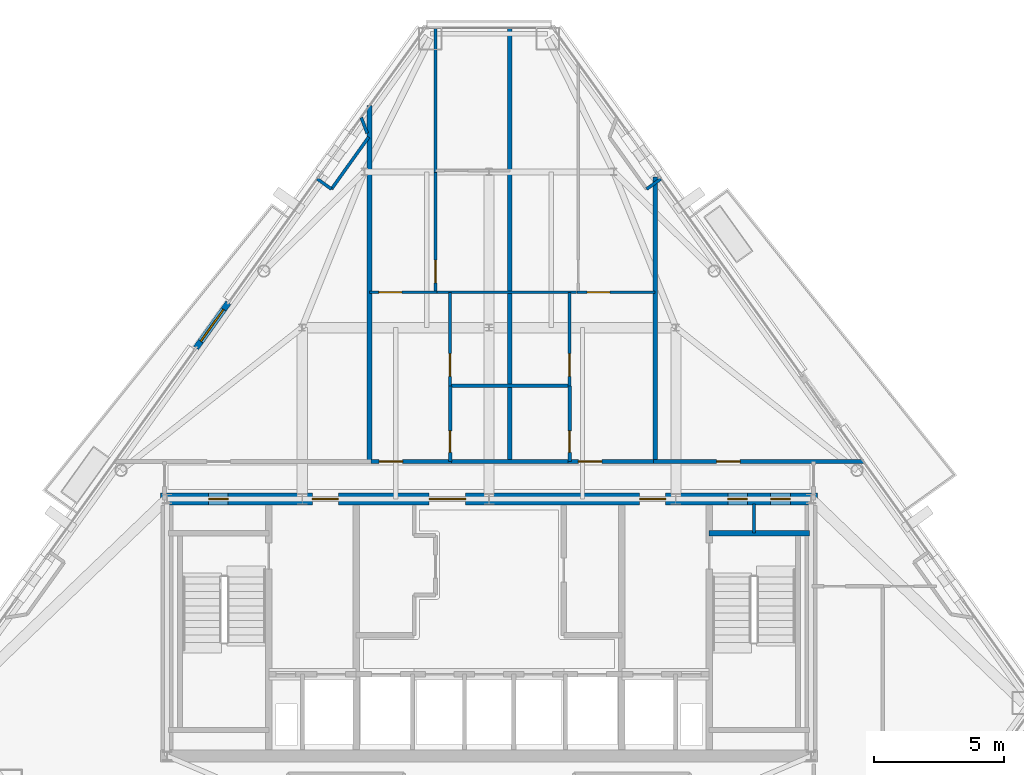
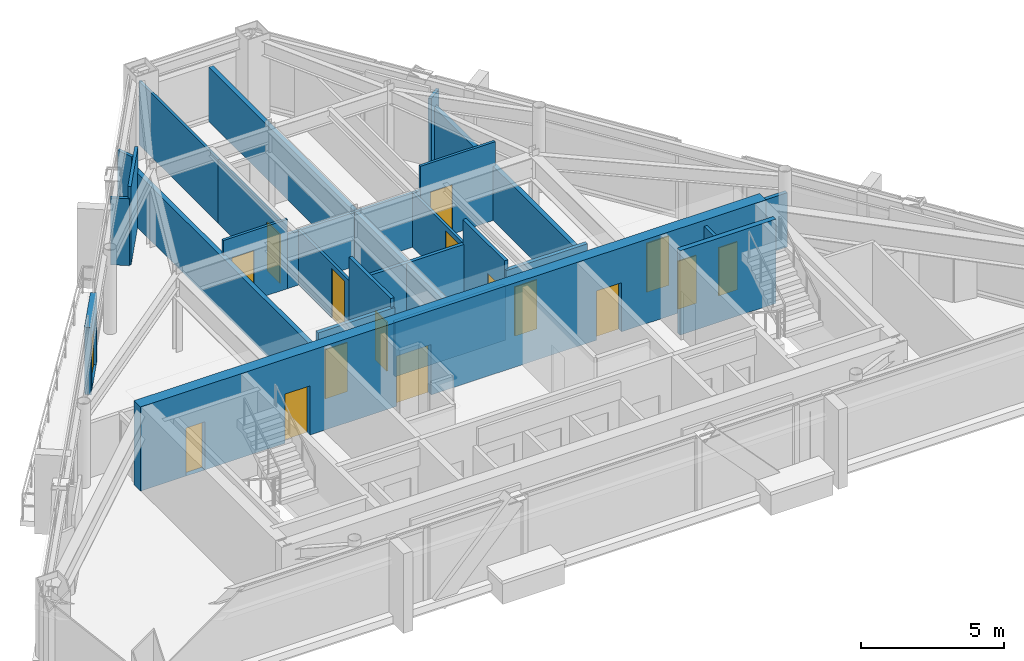
# One storey, part 9 of 12: 25 walls, 17 doors, 17 openings.
"""IFC4 building model written with IfcOpenShell, lengths in metres."""

from ifc_helpers import new_model, si_unit, direction, frame, frame_2d, origin, place, context, subcontext, project, spatial, rectangle, extrude, material, layer, layer_set, type_object, element, fill, save


model = new_model("IFC4")

# Units and contexts
model_context = context("Model", 3, precision=1e-05, world=origin(), true_north=direction((0.0, 1.0)))
body_context = subcontext(model_context, "Body", "Model", "MODEL_VIEW")
ifc_project = project(units=[si_unit("LENGTHUNIT", "METRE"), si_unit("AREAUNIT", "SQUARE_METRE"), si_unit("VOLUMEUNIT", "CUBIC_METRE"), si_unit("PLANEANGLEUNIT", "RADIAN"), si_unit("MASSUNIT", "GRAM", prefix="KILO")], contexts=[model_context])

# Site, building, storey
site_placement = place(None, origin())
site = spatial("IfcSite", under=ifc_project, at=site_placement, CompositionType="ELEMENT")
building_placement = place(site_placement, origin())
building = spatial("IfcBuilding", under=site, at=building_placement, Name="Talgorran Terracotta Tower", CompositionType="ELEMENT")
storey_placement = place(building_placement, frame((0.0, 0.0, 256.199951171875)))
storey = spatial("IfcBuildingStorey", under=building, at=storey_placement, Name="L67", CompositionType="ELEMENT", Elevation=256.199951171875)

# Wall, opening, door
ifc_material_1 = material(Name="Concrete C40/50", Category="concrete")
ifc_layer_1 = layer(ifc_material_1, 0.239990234375, Name="WT_BALCONY_SPAND")
ifc_layer_set_1 = layer_set([ifc_layer_1], Name="Concrete C40/50")
wall_type_1 = type_object("IfcWallType", Name="WT_BALCONY_SPAND", PredefinedType="STANDARD", material=ifc_layer_set_1)
wall_1_placement = place(storey_placement, frame((-10.039306640625, 3.357421875, -0.014892578125), z_axis=(0.0, 0.0, 1.0), x_axis=(-0.58216589686, -0.813070026832, 0.0)))
wall_1 = element("IfcWall", 1, at=wall_1_placement, inside=storey, type_object=wall_type_1, Name="WL-L67-BALP-BAL-NW", PredefinedType="STANDARD", context=body_context, shape_type="SweptSolid", body=[
    extrude(rectangle(XDim=2.14013671875, YDim=0.239990234375, at=frame_2d((1.070068359375, 0.0))), origin(), (0.0, 0.0, 1.0), 2.8779296875),
])
opening_1_placement = place(wall_1_placement, frame((0.320068359375, 0.0, 0.014892578125)))
opening_1 = element("IfcOpeningElement", 2, at=opening_1_placement, cuts=wall_1, Name="Opening D-BAL-L67-2", PredefinedType="OPENING", context=body_context, shape_type="SweptSolid", body=[
    extrude(rectangle(XDim=1.506, YDim=2.203951171875, at=frame_2d((0.75, 1.10205078125))), frame((0.0, 0.1298828125, 0.0), z_axis=(0.0, -1.0, 0.0), x_axis=(1.0, 0.0, 0.0)), (0.0, 0.0, 1.0), 0.260009765625),
])
ifc_material_2 = material(Name="Thermally Broken Aluminium", Category="aluminium")
door_type_1 = type_object("IfcDoorType", Name="DT_BALC_1500", OperationType="SLIDING_TO_RIGHT", PredefinedType="DOOR", material=ifc_material_2)
door_1_placement = place(opening_1_placement, origin())
door_1 = element("IfcDoor", 3, at=door_1_placement, inside=storey, type_object=door_type_1, Name="DR-L67-BAL-BAL-NW", OperationType="SLIDING_TO_RIGHT", OverallHeight=2.199951171875, OverallWidth=1.5, PredefinedType="DOOR", context=body_context, shape_type="SweptSolid", body=[
    extrude(rectangle(XDim=1.5, YDim=2.199951171875, at=frame_2d((0.75, 1.10009765625))), frame((0.0, 0.02490234375, 0.0), z_axis=(0.0, -1.0, 0.0), x_axis=(1.0, 0.0, 0.0)), (0.0, 0.0, 1.0), 0.050048828125),
])
fill(opening_1, door_1)

# Wall
ifc_material_3 = material(Name="Concrete C50/60", Category="concrete")
ifc_layer_2 = layer(ifc_material_3, 0.199951171875, Name="WT_CORE_200")
ifc_layer_set_2 = layer_set([ifc_layer_2], Name="Concrete C50/60")
wall_type_2 = type_object("IfcWallType", Name="WT_CORE_200", PredefinedType="SOLIDWALL", material=ifc_layer_set_2)
wall_2_placement = place(storey_placement, frame((8.47998046875, -5.52001953125, 0.0), z_axis=(0.0, 0.0, 1.0), x_axis=(1.0, 0.0, 0.0)))
element("IfcWall", 4, at=wall_2_placement, inside=storey, type_object=wall_type_2, Name="WL-L67-CW-ST2-N", PredefinedType="SOLIDWALL", context=body_context, shape_type="SweptSolid", body=[
    extrude(rectangle(XDim=3.8701171875, YDim=0.199951171875, at=frame_2d((1.93505859375, 0.0))), origin(), (0.0, 0.0, 1.0), 3.60009765625),
])

# Wall, openings, doors
ifc_material_4 = material(Name="Concrete C65/80", Category="concrete")
ifc_layer_3 = layer(ifc_material_4, 0.449951171875, Name="WT_CORE_EXT")
ifc_layer_set_3 = layer_set([ifc_layer_3], Name="Concrete C65/80")
wall_type_3 = type_object("IfcWallType", Name="WT_CORE_EXT", PredefinedType="SHEAR", material=ifc_layer_set_3)
wall_3_placement = place(storey_placement, frame((-12.64990234375, -4.199951171875, 0.0), z_axis=(0.0, 0.0, 1.0), x_axis=(1.0, 0.0, 0.0)))
wall_3 = element("IfcWall", 5, at=wall_3_placement, inside=storey, type_object=wall_type_3, Name="WL-L67-CW-OUT-N", PredefinedType="SHEAR", context=body_context, shape_type="SweptSolid", body=[
    extrude(rectangle(XDim=25.2998046875, YDim=0.449951171875, at=frame_2d((12.64990234375, 0.0))), origin(), (0.0, 0.0, 1.0), 3.60009765625),
])
opening_2_placement = place(wall_3_placement, frame((1.85009765625, 0.0, 0.0)))
opening_2 = element("IfcOpeningElement", 6, at=opening_2_placement, cuts=wall_3, Name="Opening DR-CSN1", PredefinedType="OPENING", context=body_context, shape_type="SweptSolid", body=[
    extrude(rectangle(XDim=0.756, YDim=2.054048828125, at=frame_2d((0.375, 1.027099609375))), frame((0.0, 0.23486328125, 0.0), z_axis=(0.0, -1.0, 0.0), x_axis=(1.0, 0.0, 0.0)), (0.0, 0.0, 1.0), 0.469970703125),
])
opening_3_placement = place(wall_3_placement, frame((21.85009765625, 0.0, 0.0)))
opening_3 = element("IfcOpeningElement", 7, at=opening_3_placement, cuts=wall_3, Name="Opening DR-CSN2", PredefinedType="OPENING", context=body_context, shape_type="SweptSolid", body=[
    extrude(rectangle(XDim=0.756, YDim=2.054048828125, at=frame_2d((0.375, 1.027099609375))), frame((0.0, 0.23486328125, 0.0), z_axis=(0.0, -1.0, 0.0), x_axis=(1.0, 0.0, 0.0)), (0.0, 0.0, 1.0), 0.469970703125),
])
opening_4_placement = place(wall_3_placement, frame((23.5, 0.0, 0.0)))
opening_4 = element("IfcOpeningElement", 8, at=opening_4_placement, cuts=wall_3, Name="Opening DR-CSN3", PredefinedType="OPENING", context=body_context, shape_type="SweptSolid", body=[
    extrude(rectangle(XDim=0.756, YDim=2.054048828125, at=frame_2d((0.375, 1.027099609375))), frame((0.0, 0.23486328125, 0.0), z_axis=(0.0, -1.0, 0.0), x_axis=(1.0, 0.0, 0.0)), (0.0, 0.0, 1.0), 0.469970703125),
])
opening_5_placement = place(wall_3_placement, frame((5.85009765625, 0.0, 0.0)))
opening_5 = element("IfcOpeningElement", 9, at=opening_5_placement, cuts=wall_3, Name="Opening DR-FFLW-N", PredefinedType="OPENING", context=body_context, shape_type="SweptSolid", body=[
    extrude(rectangle(XDim=1.006, YDim=2.10409765625, at=frame_2d((0.5, 1.052001953125))), frame((0.0, 0.23486328125, 0.0), z_axis=(0.0, -1.0, 0.0), x_axis=(1.0, 0.0, 0.0)), (0.0, 0.0, 1.0), 0.469970703125),
])
opening_6_placement = place(wall_3_placement, frame((10.35009765625, 0.0, 0.0)))
opening_6 = element("IfcOpeningElement", 10, at=opening_6_placement, cuts=wall_3, Name="Opening DR-PLL-N", PredefinedType="OPENING", context=body_context, shape_type="SweptSolid", body=[
    extrude(rectangle(XDim=1.40590234375, YDim=2.15390234375, at=frame_2d((0.699951171875, 1.076904296875))), frame((0.0, 0.23486328125, 0.0), z_axis=(0.0, -1.0, 0.0), x_axis=(1.0, 0.0, 0.0)), (0.0, 0.0, 1.0), 0.469970703125),
])
opening_7_placement = place(wall_3_placement, frame((18.449951171875, 0.0, 0.0)))
opening_7 = element("IfcOpeningElement", 11, at=opening_7_placement, cuts=wall_3, Name="Opening DR-FFLE-N", PredefinedType="OPENING", context=body_context, shape_type="SweptSolid", body=[
    extrude(rectangle(XDim=1.006, YDim=2.10409765625, at=frame_2d((0.5, 1.052001953125))), frame((0.0, 0.23486328125, 0.0), z_axis=(0.0, -1.0, 0.0), x_axis=(1.0, 0.0, 0.0)), (0.0, 0.0, 1.0), 0.469970703125),
])
ifc_material_5 = material(Name="Acoustic Glazed Timber", Category="wood")
door_type_2 = type_object("IfcDoorType", Name="DT_DOUBLE_1400", OperationType="DOUBLE_DOOR_SINGLE_SWING", PredefinedType="DOOR", material=ifc_material_5)
door_2_placement = place(opening_6_placement, origin())
door_2 = element("IfcDoor", 12, at=door_2_placement, inside=storey, type_object=door_type_2, Name="DR-PLL-N", OperationType="DOUBLE_DOOR_SINGLE_SWING", OverallHeight=2.14990234375, OverallWidth=1.39990234375, PredefinedType="DOOR", context=body_context, shape_type="SweptSolid", body=[
    extrude(rectangle(XDim=1.39990234375, YDim=2.14990234375, at=frame_2d((0.699951171875, 1.074951171875))), frame((0.0, 0.02490234375, 0.0), z_axis=(0.0, -1.0, 0.0), x_axis=(1.0, 0.0, 0.0)), (0.0, 0.0, 1.0), 0.050048828125),
])
fill(opening_6, door_2)
ifc_material_6 = material(Name="Fire-Rated Pressed Steel", Category="steel")
door_type_3 = type_object("IfcDoorType", Name="DT_FIRE_1000", OperationType="NOTDEFINED", PredefinedType="DOOR", material=ifc_material_6)
door_3_placement = place(opening_5_placement, origin())
door_3 = element("IfcDoor", 13, at=door_3_placement, inside=storey, type_object=door_type_3, Name="DR-FFLW-N", OperationType="SINGLE_SWING_LEFT", OverallHeight=2.10009765625, OverallWidth=1.0, PredefinedType="DOOR", context=body_context, shape_type="SweptSolid", body=[
    extrude(rectangle(XDim=1.0, YDim=2.10009765625, at=frame_2d((0.5, 1.050048828125))), frame((0.0, 0.02490234375, 0.0), z_axis=(0.0, -1.0, 0.0), x_axis=(1.0, 0.0, 0.0)), (0.0, 0.0, 1.0), 0.050048828125),
])
fill(opening_5, door_3)
door_4_placement = place(opening_7_placement, origin())
door_4 = element("IfcDoor", 14, at=door_4_placement, inside=storey, type_object=door_type_3, Name="DR-FFLE-N", OperationType="SINGLE_SWING_RIGHT", OverallHeight=2.10009765625, OverallWidth=1.0, PredefinedType="DOOR", context=body_context, shape_type="SweptSolid", body=[
    extrude(rectangle(XDim=1.0, YDim=2.10009765625, at=frame_2d((0.5, 1.050048828125))), frame((0.0, 0.02490234375, 0.0), z_axis=(0.0, -1.0, 0.0), x_axis=(1.0, 0.0, 0.0)), (0.0, 0.0, 1.0), 0.050048828125),
])
fill(opening_7, door_4)
door_type_4 = type_object("IfcDoorType", Name="DT_RISER_750", OperationType="NOTDEFINED", PredefinedType="DOOR", material=ifc_material_6)
door_5_placement = place(opening_2_placement, origin())
door_5 = element("IfcDoor", 15, at=door_5_placement, inside=storey, type_object=door_type_4, Name="DR-CSN1", OperationType="SINGLE_SWING_LEFT", OverallHeight=2.050048828125, OverallWidth=0.75, PredefinedType="DOOR", context=body_context, shape_type="SweptSolid", body=[
    extrude(rectangle(XDim=0.75, YDim=2.050048828125, at=frame_2d((0.375, 1.02490234375))), frame((0.0, 0.02490234375, 0.0), z_axis=(0.0, -1.0, 0.0), x_axis=(1.0, 0.0, 0.0)), (0.0, 0.0, 1.0), 0.050048828125),
])
fill(opening_2, door_5)
door_6_placement = place(opening_3_placement, origin())
door_6 = element("IfcDoor", 16, at=door_6_placement, inside=storey, type_object=door_type_4, Name="DR-CSN2", OperationType="SINGLE_SWING_LEFT", OverallHeight=2.050048828125, OverallWidth=0.75, PredefinedType="DOOR", context=body_context, shape_type="SweptSolid", body=[
    extrude(rectangle(XDim=0.75, YDim=2.050048828125, at=frame_2d((0.375, 1.02490234375))), frame((0.0, 0.02490234375, 0.0), z_axis=(0.0, -1.0, 0.0), x_axis=(1.0, 0.0, 0.0)), (0.0, 0.0, 1.0), 0.050048828125),
])
fill(opening_3, door_6)
door_7_placement = place(opening_4_placement, origin())
door_7 = element("IfcDoor", 17, at=door_7_placement, inside=storey, type_object=door_type_4, Name="DR-CSN3", OperationType="SINGLE_SWING_RIGHT", OverallHeight=2.050048828125, OverallWidth=0.75, PredefinedType="DOOR", context=body_context, shape_type="SweptSolid", body=[
    extrude(rectangle(XDim=0.75, YDim=2.050048828125, at=frame_2d((0.375, 1.02490234375))), frame((0.0, 0.02490234375, 0.0), z_axis=(0.0, -1.0, 0.0), x_axis=(1.0, 0.0, 0.0)), (0.0, 0.0, 1.0), 0.050048828125),
])
fill(opening_4, door_7)

# Wall, opening, door
ifc_material_7 = material(Name="Fire-Rated Steel Stud Plasterboard", Category="steel")
ifc_layer_4 = layer(ifc_material_7, 0.14990234375, Name="WT_FIRE_150")
ifc_layer_set_4 = layer_set([ifc_layer_4], Name="Fire-Rated Steel Stud Plasterboard")
wall_type_4 = type_object("IfcWallType", Name="WT_FIRE_150", PredefinedType="PARTITIONING", material=ifc_layer_set_4)
wall_4_placement = place(storey_placement, frame((6.340087890625, -2.760009765625, 0.0), z_axis=(0.0, 0.0, 1.0), x_axis=(1.0, 0.0, 0.0)))
wall_4 = element("IfcWall", 18, at=wall_4_placement, inside=storey, type_object=wall_type_4, Name="WL-L67-W-L67-R08", PredefinedType="PARTITIONING", context=body_context, shape_type="SweptSolid", body=[
    extrude(rectangle(XDim=8.079833984375, YDim=0.14990234375, at=frame_2d((4.0400390625, 0.0))), origin(), (0.0, 0.0, 1.0), 2.320068359375),
])
opening_8_placement = place(wall_4_placement, frame((2.430908203125, 0.0, 0.0)))
opening_8 = element("IfcOpeningElement", 19, at=opening_8_placement, cuts=wall_4, Name="Opening DR-L67-R17", PredefinedType="OPENING", context=body_context, shape_type="SweptSolid", body=[
    extrude(rectangle(XDim=0.90590234375, YDim=2.10409765625, at=frame_2d((0.449951171875, 1.052001953125))), frame((0.0, 0.0849609375, 0.0), z_axis=(0.0, -1.0, 0.0), x_axis=(1.0, 0.0, 0.0)), (0.0, 0.0, 1.0), 0.169921875),
])
ifc_material_8 = material(Name="Fire-Rated Timber Core", Category="wood")
door_type_5 = type_object("IfcDoorType", Name="DT_FIRE_900", OperationType="NOTDEFINED", PredefinedType="DOOR", material=ifc_material_8)
door_8_placement = place(opening_8_placement, origin())
door_8 = element("IfcDoor", 20, at=door_8_placement, inside=storey, type_object=door_type_5, Name="DR-L67-R17", OperationType="SINGLE_SWING_LEFT", OverallHeight=2.10009765625, OverallWidth=0.89990234375, PredefinedType="DOOR", context=body_context, shape_type="SweptSolid", body=[
    extrude(rectangle(XDim=0.89990234375, YDim=2.10009765625, at=frame_2d((0.449951171875, 1.050048828125))), frame((0.0, 0.02490234375, 0.0), z_axis=(0.0, -1.0, 0.0), x_axis=(1.0, 0.0, 0.0)), (0.0, 0.0, 1.0), 0.050048828125),
])
fill(opening_8, door_8)

wall_5_placement = place(storey_placement, frame((3.0400390625, -2.760009765625, 0.0), z_axis=(0.0, 0.0, 1.0), x_axis=(1.0, 0.0, 0.0)))
wall_5 = element("IfcWall", 21, at=wall_5_placement, inside=storey, type_object=wall_type_4, Name="WL-L67-W-L67-R07", PredefinedType="PARTITIONING", context=body_context, shape_type="SweptSolid", body=[
    extrude(rectangle(XDim=3.2978515625, YDim=0.14990234375, at=frame_2d((1.64892578125, 0.0))), origin(), (0.0, 0.0, 1.0), 2.96435546875),
])
opening_9_placement = place(wall_5_placement, frame((0.39990234375, 0.0, 0.0)))
opening_9 = element("IfcOpeningElement", 22, at=opening_9_placement, cuts=wall_5, Name="Opening DR-L67-R14", PredefinedType="OPENING", context=body_context, shape_type="SweptSolid", body=[
    extrude(rectangle(XDim=0.90590234375, YDim=2.10409765625, at=frame_2d((0.449951171875, 1.052001953125))), frame((0.0, 0.0849609375, 0.0), z_axis=(0.0, -1.0, 0.0), x_axis=(1.0, 0.0, 0.0)), (0.0, 0.0, 1.0), 0.169921875),
])
door_9_placement = place(opening_9_placement, origin())
door_9 = element("IfcDoor", 23, at=door_9_placement, inside=storey, type_object=door_type_5, Name="DR-L67-R14", OperationType="SINGLE_SWING_RIGHT", OverallHeight=2.10009765625, OverallWidth=0.89990234375, PredefinedType="DOOR", context=body_context, shape_type="SweptSolid", body=[
    extrude(rectangle(XDim=0.89990234375, YDim=2.10009765625, at=frame_2d((0.449951171875, 1.050048828125))), frame((0.0, 0.02490234375, 0.0), z_axis=(0.0, -1.0, 0.0), x_axis=(1.0, 0.0, 0.0)), (0.0, 0.0, 1.0), 0.050048828125),
])
fill(opening_9, door_9)

wall_6_placement = place(storey_placement, frame((-4.5380859375, -2.760009765625, 0.0), z_axis=(0.0, 0.0, 1.0), x_axis=(1.0, 0.0, 0.0)))
wall_6 = element("IfcWall", 24, at=wall_6_placement, inside=storey, type_object=wall_type_4, Name="WL-L67-W-L67-R05", PredefinedType="PARTITIONING", context=body_context, shape_type="SweptSolid", body=[
    extrude(rectangle(XDim=3.09814453125, YDim=0.14990234375, at=frame_2d((1.549072265625, 0.0))), origin(), (0.0, 0.0, 1.0), 2.96435546875),
])
opening_10_placement = place(wall_6_placement, frame((0.31201171875, 0.0, 0.0)))
opening_10 = element("IfcOpeningElement", 25, at=opening_10_placement, cuts=wall_6, Name="Opening DR-L67-R08", PredefinedType="OPENING", context=body_context, shape_type="SweptSolid", body=[
    extrude(rectangle(XDim=0.90590234375, YDim=2.10409765625, at=frame_2d((0.449951171875, 1.052001953125))), frame((0.0, 0.0849609375, 0.0), z_axis=(0.0, -1.0, 0.0), x_axis=(1.0, 0.0, 0.0)), (0.0, 0.0, 1.0), 0.169921875),
])
door_10_placement = place(opening_10_placement, origin())
door_10 = element("IfcDoor", 26, at=door_10_placement, inside=storey, type_object=door_type_5, Name="DR-L67-R08", OperationType="SINGLE_SWING_RIGHT", OverallHeight=2.10009765625, OverallWidth=0.89990234375, PredefinedType="DOOR", context=body_context, shape_type="SweptSolid", body=[
    extrude(rectangle(XDim=0.89990234375, YDim=2.10009765625, at=frame_2d((0.449951171875, 1.050048828125))), frame((0.0, 0.02490234375, 0.0), z_axis=(0.0, -1.0, 0.0), x_axis=(1.0, 0.0, 0.0)), (0.0, 0.0, 1.0), 0.050048828125),
])
fill(opening_10, door_10)

# Walls
wall_7_placement = place(storey_placement, frame((-1.43798828125, -2.760009765625, 0.0), z_axis=(0.0, 0.0, 1.0), x_axis=(1.0, 0.0, 0.0)))
element("IfcWall", 27, at=wall_7_placement, inside=storey, type_object=wall_type_4, Name="WL-L67-W-L67-R04", PredefinedType="PARTITIONING", context=body_context, shape_type="SweptSolid", body=[
    extrude(rectangle(XDim=4.47607421875, YDim=0.14990234375, at=frame_2d((2.238037109375, 0.0))), origin(), (0.0, 0.0, 1.0), 2.320068359375),
])
ifc_material_9 = material(Name="Acoustic Stud and Plasterboard")
ifc_layer_5 = layer(ifc_material_9, 0.179931640625, Name="WT_PARTY_200")
ifc_layer_set_5 = layer_set([ifc_layer_5], Name="Acoustic Stud and Plasterboard")
wall_type_5 = type_object("IfcWallType", Name="WT_PARTY_200", PredefinedType="PARTITIONING", material=ifc_layer_set_5)
wall_8_placement = place(storey_placement, frame((-4.60009765625, -2.739990234375, 0.0), z_axis=(0.0, 0.0, 1.0), x_axis=(0.0, 1.0, 0.0)))
element("IfcWall", 28, at=wall_8_placement, inside=storey, type_object=wall_type_5, Name="WL-L67-W-L67-R13", PredefinedType="PARTITIONING", context=body_context, shape_type="SweptSolid", body=[
    extrude(rectangle(XDim=13.693359375, YDim=0.179931640625, at=frame_2d((6.8466796875, 0.0))), origin(), (0.0, 0.0, 1.0), 2.320068359375),
])
wall_9_placement = place(storey_placement, frame((6.39990234375, -2.760009765625, 0.0), z_axis=(0.0, 0.0, 1.0), x_axis=(0.0, 1.0, 0.0)))
element("IfcWall", 29, at=wall_9_placement, inside=storey, type_object=wall_type_5, Name="WL-L67-W-L67-R33", PredefinedType="PARTITIONING", context=body_context, shape_type="SweptSolid", body=[
    extrude(rectangle(XDim=10.9599609375, YDim=0.179931640625, at=frame_2d((5.47998046875, 0.0))), origin(), (0.0, 0.0, 1.0), 2.320068359375),
])
wall_10_placement = place(storey_placement, frame((0.800048828125, -2.760009765625, 0.0), z_axis=(0.0, 0.0, 1.0), x_axis=(0.0, 1.0, 0.0)))
element("IfcWall", 30, at=wall_10_placement, inside=storey, type_object=wall_type_5, Name="WL-L67-W-L67-R26", PredefinedType="PARTITIONING", context=body_context, shape_type="SweptSolid", body=[
    extrude(rectangle(XDim=16.69677734375, YDim=0.179931640625, at=frame_2d((8.348388671875, 0.0))), origin(), (0.0, 0.0, 1.0), 2.320068359375),
])
ifc_material_10 = material(Name="Lightweight Steel Stud Partition", Category="steel")
ifc_layer_6 = layer(ifc_material_10, 0.10498046875, Name="WT_PART_110")
ifc_layer_set_6 = layer_set([ifc_layer_6], Name="Lightweight Steel Stud Partition")
wall_type_6 = type_object("IfcWallType", Name="WT_PART_110", PredefinedType="PARTITIONING", material=ifc_layer_set_6)
wall_11_placement = place(storey_placement, frame((-2.06005859375, 8.3798828125, 0.0), z_axis=(0.0, 0.0, 1.0), x_axis=(0.0, 1.0, 0.0)))
element("IfcWall", 31, at=wall_11_placement, inside=storey, type_object=wall_type_6, Name="WL-L67-W-L67-R23", PredefinedType="PARTITIONING", context=body_context, shape_type="SweptSolid", body=[
    extrude(rectangle(XDim=5.556884765625, YDim=0.10498046875, at=frame_2d((2.7783203125, 0.0))), origin(), (0.0, 0.0, 1.0), 2.718017578125),
])

# Wall, opening, door
wall_12_placement = place(storey_placement, frame((-2.06005859375, 3.760009765625, 0.0), z_axis=(0.0, 0.0, 1.0), x_axis=(0.0, 1.0, 0.0)))
wall_12 = element("IfcWall", 32, at=wall_12_placement, inside=storey, type_object=wall_type_6, Name="WL-L67-W-L67-R22", PredefinedType="PARTITIONING", context=body_context, shape_type="SweptSolid", body=[
    extrude(rectangle(XDim=4.617919921875, YDim=0.10498046875, at=frame_2d((2.30908203125, 0.0))), origin(), (0.0, 0.0, 1.0), 2.718017578125),
])
opening_11_placement = place(wall_12_placement, frame((0.360107421875, 0.0, 0.0)))
opening_11 = element("IfcOpeningElement", 33, at=opening_11_placement, cuts=wall_12, Name="Opening DR-L67-R10", PredefinedType="OPENING", context=body_context, shape_type="SweptSolid", body=[
    extrude(rectangle(XDim=0.8858828125, YDim=2.10409765625, at=frame_2d((0.43994140625, 1.052001953125))), frame((0.0, 0.0625, 0.0), z_axis=(0.0, -1.0, 0.0), x_axis=(1.0, 0.0, 0.0)), (0.0, 0.0, 1.0), 0.125),
])
ifc_material_11 = material(Name="Solid-Core Painted Timber", Category="wood")
door_type_6 = type_object("IfcDoorType", Name="DT_INT_880", OperationType="NOTDEFINED", PredefinedType="DOOR", material=ifc_material_11)
door_11_placement = place(opening_11_placement, origin())
door_11 = element("IfcDoor", 34, at=door_11_placement, inside=storey, type_object=door_type_6, Name="DR-L67-R10", OperationType="SINGLE_SWING_RIGHT", OverallHeight=2.10009765625, OverallWidth=0.8798828125, PredefinedType="DOOR", context=body_context, shape_type="SweptSolid", body=[
    extrude(rectangle(XDim=0.8798828125, YDim=2.10009765625, at=frame_2d((0.43994140625, 1.050048828125))), frame((0.0, 0.02490234375, 0.0), z_axis=(0.0, -1.0, 0.0), x_axis=(1.0, 0.0, 0.0)), (0.0, 0.0, 1.0), 0.050048828125),
])
fill(opening_11, door_11)

wall_13_placement = place(storey_placement, frame((-1.5, 0.159912109375, 0.0), z_axis=(0.0, 0.0, 1.0), x_axis=(0.0, 1.0, 0.0)))
wall_13 = element("IfcWall", 35, at=wall_13_placement, inside=storey, type_object=wall_type_6, Name="WL-L67-W-L67-R17", PredefinedType="PARTITIONING", context=body_context, shape_type="SweptSolid", body=[
    extrude(rectangle(XDim=3.60009765625, YDim=0.10498046875, at=frame_2d((1.800048828125, 0.0))), origin(), (0.0, 0.0, 1.0), 2.320068359375),
])
opening_12_placement = place(wall_13_placement, frame((0.360107421875, 0.0, 0.0)))
opening_12 = element("IfcOpeningElement", 36, at=opening_12_placement, cuts=wall_13, Name="Opening DR-L67-R07", PredefinedType="OPENING", context=body_context, shape_type="SweptSolid", body=[
    extrude(rectangle(XDim=0.8858828125, YDim=2.10409765625, at=frame_2d((0.43994140625, 1.052001953125))), frame((0.0, 0.0625, 0.0), z_axis=(0.0, -1.0, 0.0), x_axis=(1.0, 0.0, 0.0)), (0.0, 0.0, 1.0), 0.125),
])
door_12_placement = place(opening_12_placement, origin())
door_12 = element("IfcDoor", 37, at=door_12_placement, inside=storey, type_object=door_type_6, Name="DR-L67-R07", OperationType="SINGLE_SWING_LEFT", OverallHeight=2.10009765625, OverallWidth=0.8798828125, PredefinedType="DOOR", context=body_context, shape_type="SweptSolid", body=[
    extrude(rectangle(XDim=0.8798828125, YDim=2.10009765625, at=frame_2d((0.43994140625, 1.050048828125))), frame((0.0, 0.02490234375, 0.0), z_axis=(0.0, -1.0, 0.0), x_axis=(1.0, 0.0, 0.0)), (0.0, 0.0, 1.0), 0.050048828125),
])
fill(opening_12, door_12)

wall_14_placement = place(storey_placement, frame((3.10009765625, 0.159912109375, 0.0), z_axis=(0.0, 0.0, 1.0), x_axis=(0.0, 1.0, 0.0)))
wall_14 = element("IfcWall", 38, at=wall_14_placement, inside=storey, type_object=wall_type_6, Name="WL-L67-W-L67-R29", PredefinedType="PARTITIONING", context=body_context, shape_type="SweptSolid", body=[
    extrude(rectangle(XDim=3.60009765625, YDim=0.10498046875, at=frame_2d((1.800048828125, 0.0))), origin(), (0.0, 0.0, 1.0), 2.320068359375),
])
opening_13_placement = place(wall_14_placement, frame((0.360107421875, 0.0, 0.0)))
opening_13 = element("IfcOpeningElement", 39, at=opening_13_placement, cuts=wall_14, Name="Opening DR-L67-R13", PredefinedType="OPENING", context=body_context, shape_type="SweptSolid", body=[
    extrude(rectangle(XDim=0.8858828125, YDim=2.10409765625, at=frame_2d((0.43994140625, 1.052001953125))), frame((0.0, 0.0625, 0.0), z_axis=(0.0, -1.0, 0.0), x_axis=(1.0, 0.0, 0.0)), (0.0, 0.0, 1.0), 0.125),
])
door_13_placement = place(opening_13_placement, origin())
door_13 = element("IfcDoor", 40, at=door_13_placement, inside=storey, type_object=door_type_6, Name="DR-L67-R13", OperationType="SINGLE_SWING_LEFT", OverallHeight=2.10009765625, OverallWidth=0.8798828125, PredefinedType="DOOR", context=body_context, shape_type="SweptSolid", body=[
    extrude(rectangle(XDim=0.8798828125, YDim=2.10009765625, at=frame_2d((0.43994140625, 1.050048828125))), frame((0.0, 0.02490234375, 0.0), z_axis=(0.0, -1.0, 0.0), x_axis=(1.0, 0.0, 0.0)), (0.0, 0.0, 1.0), 0.050048828125),
])
fill(opening_13, door_13)

wall_15_placement = place(storey_placement, frame((3.3798828125, 3.760009765625, 0.0), z_axis=(0.0, 0.0, 1.0), x_axis=(1.0, 0.0, 0.0)))
wall_15 = element("IfcWall", 41, at=wall_15_placement, inside=storey, type_object=wall_type_6, Name="WL-L67-W-L67-R32", PredefinedType="PARTITIONING", context=body_context, shape_type="SweptSolid", body=[
    extrude(rectangle(XDim=3.02001953125, YDim=0.10498046875, at=frame_2d((1.510009765625, 0.0))), origin(), (0.0, 0.0, 1.0), 3.344970703125),
])
opening_14_placement = place(wall_15_placement, frame((0.397216796875, 0.0, 0.0)))
opening_14 = element("IfcOpeningElement", 42, at=opening_14_placement, cuts=wall_15, Name="Opening DR-L67-R16", PredefinedType="OPENING", context=body_context, shape_type="SweptSolid", body=[
    extrude(rectangle(XDim=0.8858828125, YDim=2.10409765625, at=frame_2d((0.43994140625, 1.052001953125))), frame((0.0, 0.0625, 0.0), z_axis=(0.0, -1.0, 0.0), x_axis=(1.0, 0.0, 0.0)), (0.0, 0.0, 1.0), 0.125),
])
door_14_placement = place(opening_14_placement, origin())
door_14 = element("IfcDoor", 43, at=door_14_placement, inside=storey, type_object=door_type_6, Name="DR-L67-R16", OperationType="SINGLE_SWING_RIGHT", OverallHeight=2.10009765625, OverallWidth=0.8798828125, PredefinedType="DOOR", context=body_context, shape_type="SweptSolid", body=[
    extrude(rectangle(XDim=0.8798828125, YDim=2.10009765625, at=frame_2d((0.43994140625, 1.050048828125))), frame((0.0, 0.02490234375, 0.0), z_axis=(0.0, -1.0, 0.0), x_axis=(1.0, 0.0, 0.0)), (0.0, 0.0, 1.0), 0.050048828125),
])
fill(opening_14, door_14)

wall_16_placement = place(storey_placement, frame((-4.60009765625, 3.760009765625, 0.0), z_axis=(0.0, 0.0, 1.0), x_axis=(1.0, 0.0, 0.0)))
wall_16 = element("IfcWall", 44, at=wall_16_placement, inside=storey, type_object=wall_type_6, Name="WL-L67-W-L67-R20", PredefinedType="PARTITIONING", context=body_context, shape_type="SweptSolid", body=[
    extrude(rectangle(XDim=2.60009765625, YDim=0.10498046875, at=frame_2d((1.300048828125, 0.0))), origin(), (0.0, 0.0, 1.0), 2.96435546875),
])
opening_15_placement = place(wall_16_placement, frame((0.360107421875, 0.0, 0.0)))
opening_15 = element("IfcOpeningElement", 45, at=opening_15_placement, cuts=wall_16, Name="Opening DR-L67-R09", PredefinedType="OPENING", context=body_context, shape_type="SweptSolid", body=[
    extrude(rectangle(XDim=0.8858828125, YDim=2.10409765625, at=frame_2d((0.43994140625, 1.052001953125))), frame((0.0, 0.0625, 0.0), z_axis=(0.0, -1.0, 0.0), x_axis=(1.0, 0.0, 0.0)), (0.0, 0.0, 1.0), 0.125),
])
door_15_placement = place(opening_15_placement, origin())
door_15 = element("IfcDoor", 46, at=door_15_placement, inside=storey, type_object=door_type_6, Name="DR-L67-R09", OperationType="SINGLE_SWING_LEFT", OverallHeight=2.10009765625, OverallWidth=0.8798828125, PredefinedType="DOOR", context=body_context, shape_type="SweptSolid", body=[
    extrude(rectangle(XDim=0.8798828125, YDim=2.10009765625, at=frame_2d((0.43994140625, 1.050048828125))), frame((0.0, 0.02490234375, 0.0), z_axis=(0.0, -1.0, 0.0), x_axis=(1.0, 0.0, 0.0)), (0.0, 0.0, 1.0), 0.050048828125),
])
fill(opening_15, door_15)

# Walls
wall_17_placement = place(storey_placement, frame((-1.998046875, 3.760009765625, 0.0), z_axis=(0.0, 0.0, 1.0), x_axis=(1.0, 0.0, 0.0)))
element("IfcWall", 47, at=wall_17_placement, inside=storey, type_object=wall_type_6, Name="WL-L67-W-L67-R18", PredefinedType="PARTITIONING", context=body_context, shape_type="SweptSolid", body=[
    extrude(rectangle(XDim=5.3759765625, YDim=0.10498046875, at=frame_2d((2.68798828125, 0.0))), origin(), (0.0, 0.0, 1.0), 2.320068359375),
])
ifc_material_12 = material(Name="Insulated Steel Stud Plasterboard", Category="steel")
ifc_layer_7 = layer(ifc_material_12, 0.1201171875, Name="WT_PART_120")
ifc_layer_set_7 = layer_set([ifc_layer_7], Name="Insulated Steel Stud Plasterboard")
wall_type_7 = type_object("IfcWallType", Name="WT_PART_120", PredefinedType="PARTITIONING", material=ifc_layer_set_7)
wall_18_placement = place(storey_placement, frame((10.199951171875, -5.52001953125, 0.0), z_axis=(0.0, 0.0, 1.0), x_axis=(0.0, 1.0, 0.0)))
element("IfcWall", 48, at=wall_18_placement, inside=storey, type_object=wall_type_7, Name="WL-L67-CW-CSE-DIV", PredefinedType="PARTITIONING", context=body_context, shape_type="SweptSolid", body=[
    extrude(rectangle(XDim=1.1201171875, YDim=0.1201171875, at=frame_2d((0.56005859375, 0.0))), origin(), (0.0, 0.0, 1.0), 3.344970703125),
])
wall_19_placement = place(storey_placement, frame((-4.63525390625, 9.736083984375, 0.0), z_axis=(0.0, 0.0, 1.0), x_axis=(-0.582204312634, -0.813042519399, 0.0)))
element("IfcWall", 49, at=wall_19_placement, inside=storey, type_object=wall_type_7, Name="WL-L67-BW-L67-14", PredefinedType="PARTITIONING", context=body_context, shape_type="SweptSolid", body=[
    extrude(rectangle(XDim=2.461181640625, YDim=0.1201171875, at=frame_2d((1.23046875, 0.0))), origin(), (0.0, 0.0, 1.0), 3.344970703125),
])
wall_20_placement = place(storey_placement, frame((-4.920166015625, 10.489013671875, 0.0), z_axis=(0.0, 0.0, 1.0), x_axis=(0.35415177854, -0.935187958518, 0.0)))
element("IfcWall", 50, at=wall_20_placement, inside=storey, type_object=wall_type_7, Name="WL-L67-BW-L67-13", PredefinedType="PARTITIONING", context=body_context, shape_type="SweptSolid", body=[
    extrude(rectangle(XDim=0.64453125, YDim=0.1201171875, at=frame_2d((0.322265625, 0.0))), origin(), (0.0, 0.0, 1.0), 2.863037109375),
])
for number, where, z_axis, x_axis, name in (
    (51, (-6.068115234375, 7.735107421875, 0.0), (0.0, 0.0, 1.0), (-0.812969505803, 0.582306261888, 0.0), "WL-L67-BW-L67-15"),
    (52, (6.61279296875, 8.125244140625, 0.0), (0.0, 0.0, 1.0), (-0.812969505803, -0.582306261888, 0.0), "WL-L67-BW-L67-16"),
):
    element("IfcWall", number, at=place(storey_placement, frame(where, z_axis=z_axis, x_axis=x_axis)), inside=storey, type_object=wall_type_7, Name=name, PredefinedType="PARTITIONING", context=body_context, shape_type="SweptSolid", body=[
        extrude(rectangle(XDim=0.669921875, YDim=0.1201171875, at=frame_2d((0.3349609375, 0.0))), origin(), (0.0, 0.0, 1.0), 2.863037109375),
    ])

# Wall, opening, door
ifc_material_13 = material(Name="Moisture-Resistant Stud Wall")
ifc_layer_8 = layer(ifc_material_13, 0.135009765625, Name="WT_PART_135")
ifc_layer_set_8 = layer_set([ifc_layer_8], Name="Moisture-Resistant Stud Wall")
wall_type_8 = type_object("IfcWallType", Name="WT_PART_135", PredefinedType="PARTITIONING", material=ifc_layer_set_8)
wall_21_placement = place(storey_placement, frame((-1.5, -2.760009765625, 0.0), z_axis=(0.0, 0.0, 1.0), x_axis=(0.0, 1.0, 0.0)))
wall_21 = element("IfcWall", 53, at=wall_21_placement, inside=storey, type_object=wall_type_8, Name="WL-L67-W-L67-R15", PredefinedType="PARTITIONING", context=body_context, shape_type="SweptSolid", body=[
    extrude(rectangle(XDim=2.919921875, YDim=0.135009765625, at=frame_2d((1.4599609375, 0.0))), origin(), (0.0, 0.0, 1.0), 3.344970703125),
])
opening_16_placement = place(wall_21_placement, frame((0.357421875, 0.0, 0.0)))
opening_16 = element("IfcOpeningElement", 54, at=opening_16_placement, cuts=wall_21, Name="Opening DR-L67-R06", PredefinedType="OPENING", context=body_context, shape_type="SweptSolid", body=[
    extrude(rectangle(XDim=0.826068359375, YDim=2.10409765625, at=frame_2d((0.41015625, 1.052001953125))), frame((0.0, 0.07763671875, 0.0), z_axis=(0.0, -1.0, 0.0), x_axis=(1.0, 0.0, 0.0)), (0.0, 0.0, 1.0), 0.155029296875),
])
ifc_material_14 = material(Name="Moisture-Resistant Solid Timber", Category="wood")
door_type_7 = type_object("IfcDoorType", Name="DT_INT_820", OperationType="NOTDEFINED", PredefinedType="DOOR", material=ifc_material_14)
door_16_placement = place(opening_16_placement, origin())
door_16 = element("IfcDoor", 55, at=door_16_placement, inside=storey, type_object=door_type_7, Name="DR-L67-R06", OperationType="SINGLE_SWING_RIGHT", OverallHeight=2.10009765625, OverallWidth=0.820068359375, PredefinedType="DOOR", context=body_context, shape_type="SweptSolid", body=[
    extrude(rectangle(XDim=0.820068359375, YDim=2.10009765625, at=frame_2d((0.41015625, 1.050048828125))), frame((0.0, 0.02490234375, 0.0), z_axis=(0.0, -1.0, 0.0), x_axis=(1.0, 0.0, 0.0)), (0.0, 0.0, 1.0), 0.050048828125),
])
fill(opening_16, door_16)

wall_22_placement = place(storey_placement, frame((3.10009765625, -2.760009765625, 0.0), z_axis=(0.0, 0.0, 1.0), x_axis=(0.0, 1.0, 0.0)))
wall_22 = element("IfcWall", 56, at=wall_22_placement, inside=storey, type_object=wall_type_8, Name="WL-L67-W-L67-R28", PredefinedType="PARTITIONING", context=body_context, shape_type="SweptSolid", body=[
    extrude(rectangle(XDim=2.919921875, YDim=0.135009765625, at=frame_2d((1.4599609375, 0.0))), origin(), (0.0, 0.0, 1.0), 3.344970703125),
])
opening_17_placement = place(wall_22_placement, frame((0.357421875, 0.0, 0.0)))
opening_17 = element("IfcOpeningElement", 57, at=opening_17_placement, cuts=wall_22, Name="Opening DR-L67-R12", PredefinedType="OPENING", context=body_context, shape_type="SweptSolid", body=[
    extrude(rectangle(XDim=0.826068359375, YDim=2.10409765625, at=frame_2d((0.41015625, 1.052001953125))), frame((0.0, 0.07763671875, 0.0), z_axis=(0.0, -1.0, 0.0), x_axis=(1.0, 0.0, 0.0)), (0.0, 0.0, 1.0), 0.155029296875),
])
door_17_placement = place(opening_17_placement, origin())
door_17 = element("IfcDoor", 58, at=door_17_placement, inside=storey, type_object=door_type_7, Name="DR-L67-R12", OperationType="SINGLE_SWING_RIGHT", OverallHeight=2.10009765625, OverallWidth=0.820068359375, PredefinedType="DOOR", context=body_context, shape_type="SweptSolid", body=[
    extrude(rectangle(XDim=0.820068359375, YDim=2.10009765625, at=frame_2d((0.41015625, 1.050048828125))), frame((0.0, 0.02490234375, 0.0), z_axis=(0.0, -1.0, 0.0), x_axis=(1.0, 0.0, 0.0)), (0.0, 0.0, 1.0), 0.050048828125),
])
fill(opening_17, door_17)

# Wall
wall_23_placement = place(storey_placement, frame((-1.5, 0.159912109375, 0.0), z_axis=(0.0, 0.0, 1.0), x_axis=(1.0, 0.0, 0.0)))
element("IfcWall", 59, at=wall_23_placement, inside=storey, type_object=wall_type_8, Name="WL-L67-W-L67-R14", PredefinedType="PARTITIONING", context=body_context, shape_type="SweptSolid", body=[
    extrude(rectangle(XDim=4.60009765625, YDim=0.135009765625, at=frame_2d((2.300048828125, 0.0))), origin(), (0.0, 0.0, 1.0), 2.320068359375),
])

save(model, "model.ifc")
